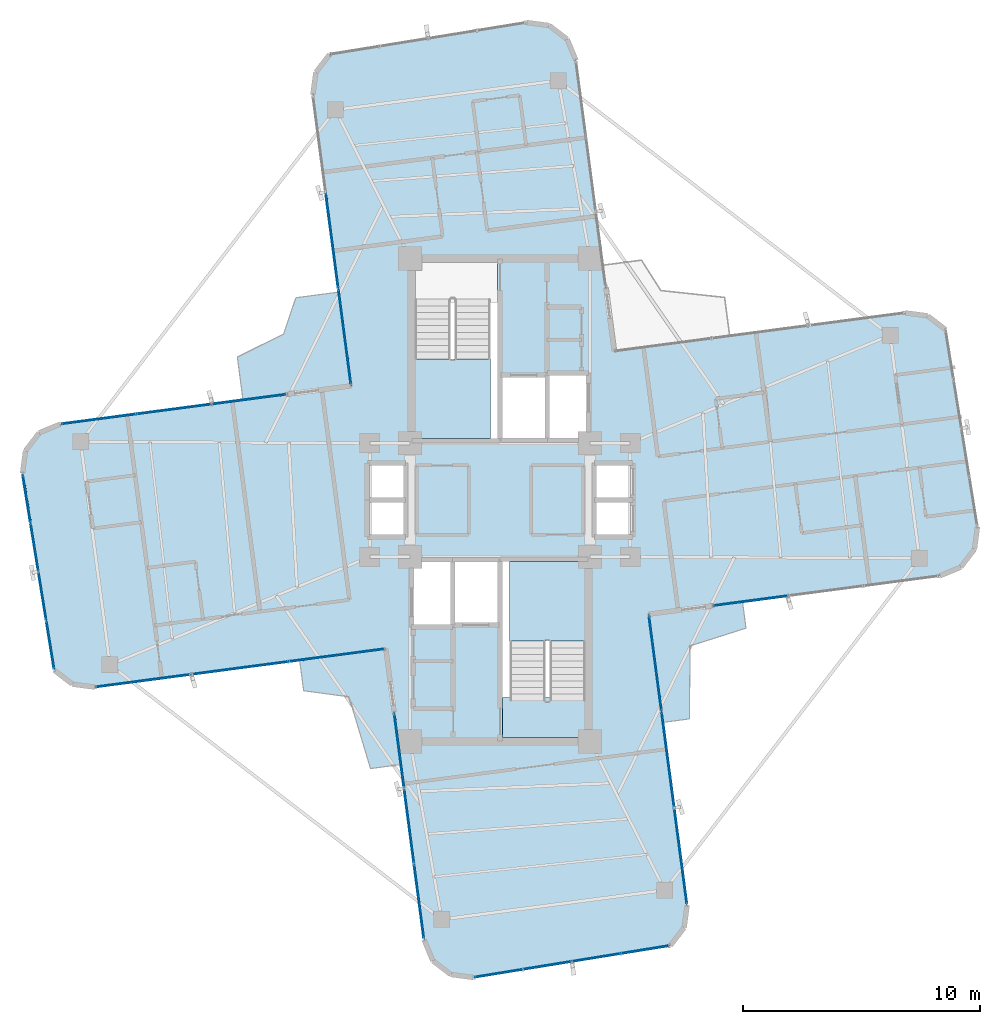
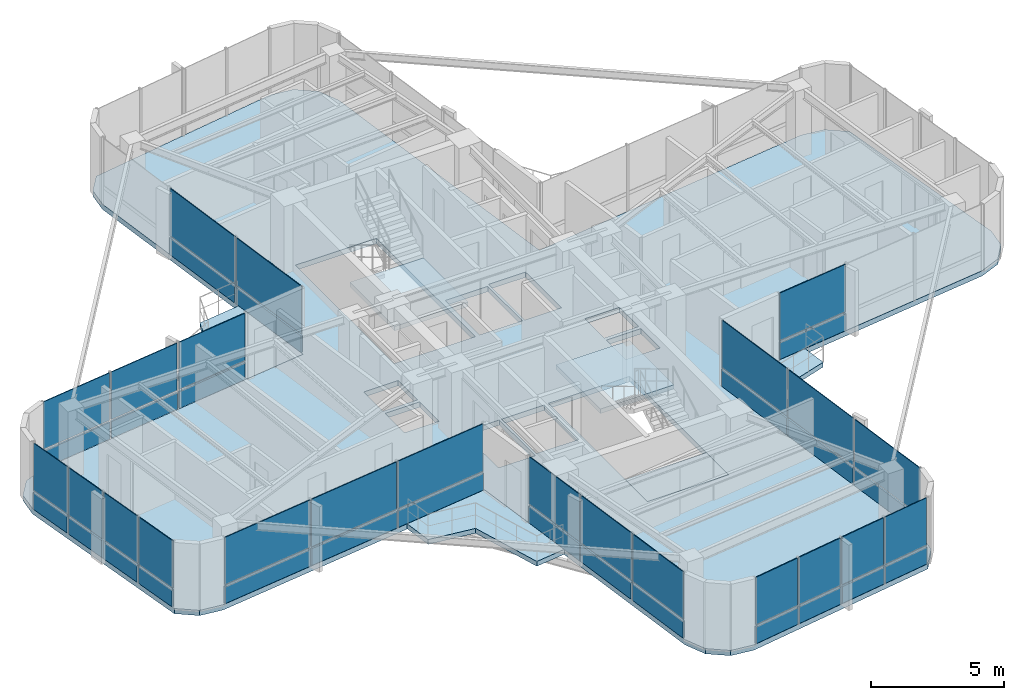
# One storey, part 17 of 22: 46 plates, 7 slabs, 10 elements without a shape of their own.
"""IFC4 building model written with IfcOpenShell, lengths in metres."""

from ifc_helpers import new_model, si_unit, direction, frame, origin, origin_2d, place, context, subcontext, project, spatial, polyline, rectangle, outline, extrude, source, transform, mapped, material, layer, layer_set, type_object, element, aggregate, save


model = new_model("IFC4")

# Units and contexts
model_context = context("Model", 3, precision=1e-05, world=origin(), true_north=direction((0.0, 1.0)))
body_context = subcontext(model_context, "Body", "Model", "MODEL_VIEW")
ifc_project = project(units=[si_unit("LENGTHUNIT", "METRE"), si_unit("AREAUNIT", "SQUARE_METRE"), si_unit("VOLUMEUNIT", "CUBIC_METRE"), si_unit("PLANEANGLEUNIT", "RADIAN"), si_unit("MASSUNIT", "GRAM", prefix="KILO")], contexts=[model_context])

# Site, building, storey
site_placement = place(None, origin())
site = spatial("IfcSite", under=ifc_project, at=site_placement, CompositionType="ELEMENT")
building_placement = place(site_placement, origin())
building = spatial("IfcBuilding", under=site, at=building_placement, Name="Sahyath Konkavel Grand Hotel", CompositionType="ELEMENT")
storey_placement = place(building_placement, frame((0.0, 0.0, 272.449951171875)))
storey = spatial("IfcBuildingStorey", under=building, at=storey_placement, Name="L76", CompositionType="ELEMENT", Elevation=272.449951171875)

# Slabs
ifc_material_1 = material(Name="Concrete C40/50", Category="concrete")
ifc_layer_1 = layer(ifc_material_1, 0.239990234375)
ifc_layer_set_1 = layer_set([ifc_layer_1], Name="Concrete C40/50")
slab_type_1 = type_object("IfcSlabType", Name="SLB-240", PredefinedType="FLOOR", material=ifc_layer_set_1)
slab_1_placement = place(storey_placement, frame((0.0, 0.0, -0.239990234375)))
element("IfcSlab", 1, at=slab_1_placement, inside=storey, type_object=slab_type_1, Name="L76 Structural Floor Slab", PredefinedType="FLOOR", context=body_context, shape_type="SweptSolid", body=[
    extrude(outline(polyline([(6.282958984375, -4.821044921875), (18.56689453125, -3.203857421875), (19.451904296875, -2.83740234375), (20.03466796875, -2.07763671875), (20.15966796875, -1.12841796875), (18.814208984375, 7.1923828125), (18.0546875, 7.775390625), (17.10498046875, 7.900390625), (4.821044921875, 6.282958984375), (3.203857421875, 18.56689453125), (2.83740234375, 19.451904296875), (2.07763671875, 20.03466796875), (1.12841796875, 20.15966796875), (-7.1923828125, 18.814208984375), (-7.775390625, 18.0546875), (-7.900390625, 17.10498046875), (-6.282958984375, 4.821044921875), (-18.56689453125, 3.203857421875), (-19.451904296875, 2.83740234375), (-20.03466796875, 2.07763671875), (-20.15966796875, 1.12841796875), (-18.814208984375, -7.1923828125), (-18.0546875, -7.775390625), (-17.10498046875, -7.900390625), (-4.821044921875, -6.282958984375), (-3.203857421875, -18.56689453125), (-2.83740234375, -19.451904296875), (-2.07763671875, -20.03466796875), (-1.12841796875, -20.15966796875), (7.1923828125, -18.814208984375), (7.775390625, -18.0546875), (7.900390625, -17.10498046875), (6.282958984375, -4.821044921875)]), holes=[polyline([(-3.6201171875, 2.580078125), (-0.10009765625, 2.580078125), (-0.10009765625, 10.02001953125), (-3.6201171875, 10.02001953125), (-3.6201171875, 2.580078125)]), polyline([(0.10009765625, -10.02001953125), (3.6201171875, -10.02001953125), (3.6201171875, -2.580078125), (0.10009765625, -2.580078125), (0.10009765625, -10.02001953125)]), polyline([(0.10009765625, 2.60009765625), (1.949951171875, 2.60009765625), (1.949951171875, 5.199951171875), (0.10009765625, 5.199951171875), (0.10009765625, 2.60009765625)]), polyline([(-1.949951171875, -5.199951171875), (-0.10009765625, -5.199951171875), (-0.10009765625, -2.60009765625), (-1.949951171875, -2.60009765625), (-1.949951171875, -5.199951171875)]), polyline([(2.050048828125, 2.60009765625), (3.64990234375, 2.60009765625), (3.64990234375, 5.300048828125), (2.050048828125, 5.300048828125), (2.050048828125, 2.60009765625)]), polyline([(-3.64990234375, -5.300048828125), (-2.050048828125, -5.300048828125), (-2.050048828125, -2.60009765625), (-3.64990234375, -2.60009765625), (-3.64990234375, -5.300048828125)]), polyline([(4.050048828125, 0.080078125), (5.550048828125, 0.080078125), (5.550048828125, 1.5400390625), (4.050048828125, 1.5400390625), (4.050048828125, 0.080078125)]), polyline([(4.050048828125, -1.5400390625), (5.550048828125, -1.5400390625), (5.550048828125, -0.080078125), (4.050048828125, -0.080078125), (4.050048828125, -1.5400390625)]), polyline([(-5.550048828125, 0.080078125), (-4.050048828125, 0.080078125), (-4.050048828125, 1.5400390625), (-5.550048828125, 1.5400390625), (-5.550048828125, 0.080078125)]), polyline([(-5.550048828125, -1.5400390625), (-4.050048828125, -1.5400390625), (-4.050048828125, -0.080078125), (-5.550048828125, -0.080078125), (-5.550048828125, -1.5400390625)])]), origin(), (0.0, 0.0, 1.0), 0.239990234375),
])
ifc_layer_2 = layer(ifc_material_1, 0.219970703125)
ifc_layer_set_2 = layer_set([ifc_layer_2], Name="Concrete C40/50")
slab_type_2 = type_object("IfcSlabType", Name="SLB-BALCONY-220", PredefinedType="FLOOR", material=ifc_layer_set_2)
slab_2_placement = place(storey_placement, frame((0.0, 0.0, -0.219970703125)))
element("IfcSlab", 2, at=slab_2_placement, inside=storey, type_object=slab_type_2, Name="L76 Winter-Garden Balcony NW", PredefinedType="FLOOR", context=body_context, shape_type="SweptSolid", body=[
    extrude(outline(polyline([(-6.282958984375, 4.821044921875), (-6.80419921875, 8.779052734375), (-8.6201171875, 8.539794921875), (-9.13720703125, 7.01123046875), (-11.0908203125, 6.03564453125), (-10.8515625, 4.2197265625), (-6.282958984375, 4.821044921875)])), origin(), (0.0, 0.0, 1.0), 0.219970703125),
])
slab_3_placement = place(storey_placement, frame((0.0, 0.0, -0.219970703125)))
element("IfcSlab", 3, at=slab_3_placement, inside=storey, type_object=slab_type_2, Name="L76 Winter-Garden Balcony SW", PredefinedType="FLOOR", context=body_context, shape_type="SweptSolid", body=[
    extrude(outline(polyline([(-4.821044921875, -6.282958984375), (-8.460693359375, -6.76220703125), (-8.290771484375, -8.052734375), (-6.377685546875, -8.3115234375), (-5.468505859375, -11.33984375), (-4.177734375, -11.169921875), (-4.821044921875, -6.282958984375)])), origin(), (0.0, 0.0, 1.0), 0.219970703125),
])
slab_4_placement = place(storey_placement, frame((0.0, 0.0, -0.219970703125)))
element("IfcSlab", 4, at=slab_4_placement, inside=storey, type_object=slab_type_2, Name="L76 Winter-Garden Balcony SE", PredefinedType="FLOOR", context=body_context, shape_type="SweptSolid", body=[
    extrude(outline(polyline([(6.282958984375, -4.821044921875), (6.884521484375, -9.3896484375), (7.9951171875, -9.243408203125), (8.02880859375, -6.16064453125), (10.38720703125, -5.410888671875), (10.240966796875, -4.300048828125), (6.282958984375, -4.821044921875)])), origin(), (0.0, 0.0, 1.0), 0.219970703125),
])

# Stair, slab
stair_type = type_object("IfcStairType", Name="STR-ST16-335", PredefinedType="HALF_TURN_STAIR", material=ifc_material_1)
stair_1_placement = place(storey_placement, origin())
stair_1 = element("IfcStair", 5, at=stair_1_placement, inside=storey, type_object=stair_type, Name="L76 North Core Smokeproof Exit Stair ST-1", PredefinedType="HALF_TURN_STAIR")
ifc_layer_3 = layer(ifc_material_1, 0.199951171875)
ifc_layer_set_3 = layer_set([ifc_layer_3], Name="Concrete C40/50")
slab_type_3 = type_object("IfcSlabType", Name="SLB-STAIR-LND", PredefinedType="LANDING", material=ifc_layer_set_3)
slab_5_placement = place(storey_placement, frame((0.0, 0.0, 1.47509765625)))
slab_5 = element("IfcSlab", 6, at=slab_5_placement, type_object=slab_type_3, Name="ST-1 landing 1", PredefinedType="LANDING", context=body_context, shape_type="SweptSolid", body=[
    extrude(outline(polyline([(-3.60009765625, 5.9599609375), (-3.60009765625, 2.60009765625), (-0.39990234375, 2.60009765625), (-0.39990234375, 5.9599609375), (-3.60009765625, 5.9599609375)])), origin(), (0.0, 0.0, 1.0), 0.199951171875),
])
aggregate(stair_1, [slab_5])

stair_2_placement = place(storey_placement, origin())
stair_2 = element("IfcStair", 7, at=stair_2_placement, inside=storey, type_object=stair_type, Name="L76 South Core Smokeproof Exit Stair ST-2", PredefinedType="HALF_TURN_STAIR")
slab_6_placement = place(storey_placement, frame((0.0, 0.0, 1.47509765625)))
slab_6 = element("IfcSlab", 8, at=slab_6_placement, type_object=slab_type_3, Name="ST-2 landing 1", PredefinedType="LANDING", context=body_context, shape_type="SweptSolid", body=[
    extrude(outline(polyline([(3.60009765625, -5.9599609375), (3.60009765625, -2.60009765625), (0.39990234375, -2.60009765625), (0.39990234375, -5.9599609375), (3.60009765625, -5.9599609375)])), origin(), (0.0, 0.0, 1.0), 0.199951171875),
])
aggregate(stair_2, [slab_6])

# Slab
slab_7_placement = place(storey_placement, frame((0.0, 0.0, -0.199951171875)))
element("IfcSlab", 9, at=slab_7_placement, inside=storey, type_object=slab_type_3, Name="L76 Stair ST-2 Floor Landing Slab", PredefinedType="LANDING", context=body_context, shape_type="SweptSolid", body=[
    extrude(outline(polyline([(0.10009765625, -10.02001953125), (3.6201171875, -10.02001953125), (3.6201171875, -8.35009765625), (0.10009765625, -8.35009765625), (0.10009765625, -10.02001953125)])), origin(), (0.0, 0.0, 1.0), 0.199951171875),
])

# Curtain wall, plate
ifc_material_2 = material(Name="Anodised Bronze Aluminium & Low-E Glazing", Category="aluminium")
curtain_wall_type = type_object("IfcCurtainWallType", Name="CW-ZONE4", PredefinedType="NOTDEFINED", material=ifc_material_2)
curtain_wall_1_placement = place(storey_placement, origin())
curtain_wall_1 = element("IfcCurtainWall", 10, at=curtain_wall_1_placement, inside=storey, type_object=curtain_wall_type, Name="L76 Unitised Curtain Wall F0", PredefinedType="NOTDEFINED")
ifc_material_3 = material(Name="Warm Buff Sandstone Cladding", Category="masonry")
ifc_layer_4 = layer(ifc_material_3, 0.074951171875)
ifc_layer_set_4 = layer_set([ifc_layer_4], Name="Warm Buff Sandstone Cladding")
plate_type_1 = type_object("IfcPlateType", Name="PNL-SPANDREL-STONE", PredefinedType="SHEET", material=ifc_layer_set_4)
shared_shape_1 = source(origin(), body_context, "Body", "SweptSolid", [
    extrude(rectangle(XDim=3.123291015625, YDim=0.074951171875, at=origin_2d()), origin(), (0.0, 0.0, 1.0), 0.77001953125),
])
plate_1_placement = place(storey_placement, frame((10.587646484375, -4.25439453125, 0.0400390625), z_axis=(0.0, 0.0, 1.0), x_axis=(0.991444861374, 0.13052619222, 0.0)))
plate_1 = element("IfcPlate", 11, at=plate_1_placement, type_object=plate_type_1, Name="L76 Sandstone Relief Spandrel Panel F0-0", PredefinedType="SHEET", context=body_context, shape_type="MappedRepresentation", body=[
    mapped(shared_shape_1, transform((0.0, 0.0, 0.0), scale=1.0)),
])

# Curtain wall, plates
curtain_wall_2_placement = place(storey_placement, origin())
curtain_wall_2 = element("IfcCurtainWall", 12, at=curtain_wall_2_placement, inside=storey, type_object=curtain_wall_type, Name="L76 Unitised Curtain Wall F16", PredefinedType="NOTDEFINED")
plate_2_placement = place(storey_placement, frame((-10.587646484375, 4.25439453125, 0.0400390625), z_axis=(0.0, 0.0, 1.0), x_axis=(-0.991444861374, -0.13052619222, 0.0)))
plate_2 = element("IfcPlate", 13, at=plate_2_placement, type_object=plate_type_1, Name="L76 Sandstone Relief Spandrel Panel F16-0", PredefinedType="SHEET", context=body_context, shape_type="MappedRepresentation", body=[
    mapped(shared_shape_1, transform((0.0, 0.0, 0.0), scale=1.0)),
])
plate_3_placement = place(storey_placement, frame((-13.763427734375, 3.836181640625, 0.0400390625), z_axis=(0.0, 0.0, 1.0), x_axis=(-0.991444861374, -0.13052619222, 0.0)))
plate_3 = element("IfcPlate", 14, at=plate_3_placement, type_object=plate_type_1, Name="L76 Sandstone Relief Spandrel Panel F16-1", PredefinedType="SHEET", context=body_context, shape_type="MappedRepresentation", body=[
    mapped(shared_shape_1, transform((0.0, 0.0, 0.0), scale=1.0)),
])
plate_4_placement = place(storey_placement, frame((-16.939453125, 3.418212890625, 0.0400390625), z_axis=(0.0, 0.0, 1.0), x_axis=(-0.991444861374, -0.13052619222, 0.0)))
plate_4 = element("IfcPlate", 15, at=plate_4_placement, type_object=plate_type_1, Name="L76 Sandstone Relief Spandrel Panel F16-2", PredefinedType="SHEET", context=body_context, shape_type="MappedRepresentation", body=[
    mapped(shared_shape_1, transform((0.0, 0.0, 0.0), scale=1.0)),
])

curtain_wall_3_placement = place(storey_placement, origin())
curtain_wall_3 = element("IfcCurtainWall", 16, at=curtain_wall_3_placement, inside=storey, type_object=curtain_wall_type, Name="L76 Unitised Curtain Wall F24", PredefinedType="NOTDEFINED")
plate_5_placement = place(storey_placement, frame((-4.25439453125, -10.587646484375, 0.0400390625), z_axis=(0.0, 0.0, 1.0), x_axis=(0.13052619222, -0.991444861374, 0.0)))
plate_5 = element("IfcPlate", 17, at=plate_5_placement, type_object=plate_type_1, Name="L76 Sandstone Relief Spandrel Panel F24-0", PredefinedType="SHEET", context=body_context, shape_type="MappedRepresentation", body=[
    mapped(shared_shape_1, transform((0.0, 0.0, 0.0), scale=1.0)),
])
plate_6_placement = place(storey_placement, frame((-3.836181640625, -13.763427734375, 0.0400390625), z_axis=(0.0, 0.0, 1.0), x_axis=(0.13052619222, -0.991444861374, 0.0)))
plate_6 = element("IfcPlate", 18, at=plate_6_placement, type_object=plate_type_1, Name="L76 Sandstone Relief Spandrel Panel F24-1", PredefinedType="SHEET", context=body_context, shape_type="MappedRepresentation", body=[
    mapped(shared_shape_1, transform((0.0, 0.0, 0.0), scale=1.0)),
])
plate_7_placement = place(storey_placement, frame((-3.418212890625, -16.939453125, 0.0400390625), z_axis=(0.0, 0.0, 1.0), x_axis=(0.13052619222, -0.991444861374, 0.0)))
plate_7 = element("IfcPlate", 19, at=plate_7_placement, type_object=plate_type_1, Name="L76 Sandstone Relief Spandrel Panel F24-2", PredefinedType="SHEET", context=body_context, shape_type="MappedRepresentation", body=[
    mapped(shared_shape_1, transform((0.0, 0.0, 0.0), scale=1.0)),
])

# Plate
ifc_material_4 = material(Name="Low-E Solar Control Double Glazing", Category="glass")
ifc_layer_5 = layer(ifc_material_4, 0.035888671875)
ifc_layer_set_5 = layer_set([ifc_layer_5], Name="Low-E Solar Control Double Glazing")
plate_type_2 = type_object("IfcPlateType", Name="PNL-VISION-LOWE", PredefinedType="CURTAIN_PANEL", material=ifc_layer_set_5)
shared_shape_2 = source(origin(), body_context, "Body", "SweptSolid", [
    extrude(rectangle(XDim=3.123291015625, YDim=0.035888671875, at=origin_2d()), origin(), (0.0, 0.0, 1.0), 2.179931640625),
])
plate_8_placement = place(storey_placement, frame((10.587646484375, -4.25439453125, 0.89013671875), z_axis=(0.0, 0.0, 1.0), x_axis=(0.991444861374, 0.13052619222, 0.0)))
plate_8 = element("IfcPlate", 20, at=plate_8_placement, type_object=plate_type_2, Name="L76 Low-E Vision Glazing Panel F0-0", PredefinedType="CURTAIN_PANEL", context=body_context, shape_type="MappedRepresentation", body=[
    mapped(shared_shape_2, transform((0.0, 0.0, 0.0), scale=1.0)),
])

aggregate(curtain_wall_1, [plate_1, plate_8])

plate_9_placement = place(storey_placement, frame((-10.587646484375, 4.25439453125, 0.89013671875), z_axis=(0.0, 0.0, 1.0), x_axis=(-0.991444861374, -0.13052619222, 0.0)))
plate_9 = element("IfcPlate", 21, at=plate_9_placement, type_object=plate_type_2, Name="L76 Low-E Vision Glazing Panel F16-0", PredefinedType="CURTAIN_PANEL", context=body_context, shape_type="MappedRepresentation", body=[
    mapped(shared_shape_2, transform((0.0, 0.0, 0.0), scale=1.0)),
])

plate_10_placement = place(storey_placement, frame((-13.763427734375, 3.836181640625, 0.89013671875), z_axis=(0.0, 0.0, 1.0), x_axis=(-0.991444861374, -0.13052619222, 0.0)))
plate_10 = element("IfcPlate", 22, at=plate_10_placement, type_object=plate_type_2, Name="L76 Low-E Vision Glazing Panel F16-1", PredefinedType="CURTAIN_PANEL", context=body_context, shape_type="MappedRepresentation", body=[
    mapped(shared_shape_2, transform((0.0, 0.0, 0.0), scale=1.0)),
])

plate_11_placement = place(storey_placement, frame((-16.939453125, 3.418212890625, 0.89013671875), z_axis=(0.0, 0.0, 1.0), x_axis=(-0.991444861374, -0.13052619222, 0.0)))
plate_11 = element("IfcPlate", 23, at=plate_11_placement, type_object=plate_type_2, Name="L76 Low-E Vision Glazing Panel F16-2", PredefinedType="CURTAIN_PANEL", context=body_context, shape_type="MappedRepresentation", body=[
    mapped(shared_shape_2, transform((0.0, 0.0, 0.0), scale=1.0)),
])

aggregate(curtain_wall_2, [plate_2, plate_9, plate_3, plate_10, plate_4, plate_11])

plate_12_placement = place(storey_placement, frame((-4.25439453125, -10.587646484375, 0.89013671875), z_axis=(0.0, 0.0, 1.0), x_axis=(0.13052619222, -0.991444861374, 0.0)))
plate_12 = element("IfcPlate", 24, at=plate_12_placement, type_object=plate_type_2, Name="L76 Low-E Vision Glazing Panel F24-0", PredefinedType="CURTAIN_PANEL", context=body_context, shape_type="MappedRepresentation", body=[
    mapped(shared_shape_2, transform((0.0, 0.0, 0.0), scale=1.0)),
])

plate_13_placement = place(storey_placement, frame((-3.836181640625, -13.763427734375, 0.89013671875), z_axis=(0.0, 0.0, 1.0), x_axis=(0.13052619222, -0.991444861374, 0.0)))
plate_13 = element("IfcPlate", 25, at=plate_13_placement, type_object=plate_type_2, Name="L76 Low-E Vision Glazing Panel F24-1", PredefinedType="CURTAIN_PANEL", context=body_context, shape_type="MappedRepresentation", body=[
    mapped(shared_shape_2, transform((0.0, 0.0, 0.0), scale=1.0)),
])

plate_14_placement = place(storey_placement, frame((-3.418212890625, -16.939453125, 0.89013671875), z_axis=(0.0, 0.0, 1.0), x_axis=(0.13052619222, -0.991444861374, 0.0)))
plate_14 = element("IfcPlate", 26, at=plate_14_placement, type_object=plate_type_2, Name="L76 Low-E Vision Glazing Panel F24-2", PredefinedType="CURTAIN_PANEL", context=body_context, shape_type="MappedRepresentation", body=[
    mapped(shared_shape_2, transform((0.0, 0.0, 0.0), scale=1.0)),
])

aggregate(curtain_wall_3, [plate_5, plate_12, plate_6, plate_13, plate_7, plate_14])

# Curtain wall, plates
curtain_wall_4_placement = place(storey_placement, origin())
curtain_wall_4 = element("IfcCurtainWall", 27, at=curtain_wall_4_placement, inside=storey, type_object=curtain_wall_type, Name="L76 Unitised Curtain Wall F20", PredefinedType="NOTDEFINED")
shared_shape_3 = source(origin(), body_context, "Body", "SweptSolid", [
    extrude(rectangle(XDim=2.007080078125, YDim=0.074951171875, at=origin_2d()), origin(), (0.0, 0.0, 1.0), 0.77001953125),
])
plate_15_placement = place(storey_placement, frame((-19.98681640625, 0.05859375, 0.0400390625), z_axis=(0.0, 0.0, 1.0), x_axis=(0.159622750546, -0.987178088041, 0.0)))
plate_15 = element("IfcPlate", 28, at=plate_15_placement, type_object=plate_type_1, Name="L76 Sandstone Relief Spandrel Panel F20-0", PredefinedType="SHEET", context=body_context, shape_type="MappedRepresentation", body=[
    mapped(shared_shape_3, transform((0.0, 0.0, 0.0), scale=1.0)),
])
plate_16_placement = place(storey_placement, frame((-19.653564453125, -2.001708984375, 0.0400390625), z_axis=(0.0, 0.0, 1.0), x_axis=(0.159622750546, -0.987178088041, 0.0)))
plate_16 = element("IfcPlate", 29, at=plate_16_placement, type_object=plate_type_1, Name="L76 Sandstone Relief Spandrel Panel F20-1", PredefinedType="SHEET", context=body_context, shape_type="MappedRepresentation", body=[
    mapped(shared_shape_3, transform((0.0, 0.0, 0.0), scale=1.0)),
])
plate_17_placement = place(storey_placement, frame((-19.3203125, -4.062255859375, 0.0400390625), z_axis=(0.0, 0.0, 1.0), x_axis=(0.159622750546, -0.987178088041, 0.0)))
plate_17 = element("IfcPlate", 30, at=plate_17_placement, type_object=plate_type_1, Name="L76 Sandstone Relief Spandrel Panel F20-2", PredefinedType="SHEET", context=body_context, shape_type="MappedRepresentation", body=[
    mapped(shared_shape_3, transform((0.0, 0.0, 0.0), scale=1.0)),
])
plate_18_placement = place(storey_placement, frame((-18.9873046875, -6.12255859375, 0.0400390625), z_axis=(0.0, 0.0, 1.0), x_axis=(0.159622750546, -0.987178088041, 0.0)))
plate_18 = element("IfcPlate", 31, at=plate_18_placement, type_object=plate_type_1, Name="L76 Sandstone Relief Spandrel Panel F20-3", PredefinedType="SHEET", context=body_context, shape_type="MappedRepresentation", body=[
    mapped(shared_shape_3, transform((0.0, 0.0, 0.0), scale=1.0)),
])

curtain_wall_5_placement = place(storey_placement, origin())
curtain_wall_5 = element("IfcCurtainWall", 32, at=curtain_wall_5_placement, inside=storey, type_object=curtain_wall_type, Name="L76 Unitised Curtain Wall F28", PredefinedType="NOTDEFINED")
plate_19_placement = place(storey_placement, frame((-0.05859375, -19.98681640625, 0.0400390625), z_axis=(0.0, 0.0, 1.0), x_axis=(0.987178088041, 0.159622750546, 0.0)))
plate_19 = element("IfcPlate", 33, at=plate_19_placement, type_object=plate_type_1, Name="L76 Sandstone Relief Spandrel Panel F28-0", PredefinedType="SHEET", context=body_context, shape_type="MappedRepresentation", body=[
    mapped(shared_shape_3, transform((0.0, 0.0, 0.0), scale=1.0)),
])
plate_20_placement = place(storey_placement, frame((2.001708984375, -19.653564453125, 0.0400390625), z_axis=(0.0, 0.0, 1.0), x_axis=(0.987178088041, 0.159622750546, 0.0)))
plate_20 = element("IfcPlate", 34, at=plate_20_placement, type_object=plate_type_1, Name="L76 Sandstone Relief Spandrel Panel F28-1", PredefinedType="SHEET", context=body_context, shape_type="MappedRepresentation", body=[
    mapped(shared_shape_3, transform((0.0, 0.0, 0.0), scale=1.0)),
])
plate_21_placement = place(storey_placement, frame((4.062255859375, -19.3203125, 0.0400390625), z_axis=(0.0, 0.0, 1.0), x_axis=(0.987178088041, 0.159622750546, 0.0)))
plate_21 = element("IfcPlate", 35, at=plate_21_placement, type_object=plate_type_1, Name="L76 Sandstone Relief Spandrel Panel F28-2", PredefinedType="SHEET", context=body_context, shape_type="MappedRepresentation", body=[
    mapped(shared_shape_3, transform((0.0, 0.0, 0.0), scale=1.0)),
])
plate_22_placement = place(storey_placement, frame((6.12255859375, -18.9873046875, 0.0400390625), z_axis=(0.0, 0.0, 1.0), x_axis=(0.987178088041, 0.159622750546, 0.0)))
plate_22 = element("IfcPlate", 36, at=plate_22_placement, type_object=plate_type_1, Name="L76 Sandstone Relief Spandrel Panel F28-3", PredefinedType="SHEET", context=body_context, shape_type="MappedRepresentation", body=[
    mapped(shared_shape_3, transform((0.0, 0.0, 0.0), scale=1.0)),
])

# Plate
shared_shape_4 = source(origin(), body_context, "Body", "SweptSolid", [
    extrude(rectangle(XDim=2.007080078125, YDim=0.035888671875, at=origin_2d()), origin(), (0.0, 0.0, 1.0), 2.179931640625),
])
plate_23_placement = place(storey_placement, frame((-19.98681640625, 0.05859375, 0.89013671875), z_axis=(0.0, 0.0, 1.0), x_axis=(0.159622750546, -0.987178088041, 0.0)))
plate_23 = element("IfcPlate", 37, at=plate_23_placement, type_object=plate_type_2, Name="L76 Low-E Vision Glazing Panel F20-0", PredefinedType="CURTAIN_PANEL", context=body_context, shape_type="MappedRepresentation", body=[
    mapped(shared_shape_4, transform((0.0, 0.0, 0.0), scale=1.0)),
])

plate_24_placement = place(storey_placement, frame((-19.653564453125, -2.001708984375, 0.89013671875), z_axis=(0.0, 0.0, 1.0), x_axis=(0.159622750546, -0.987178088041, 0.0)))
plate_24 = element("IfcPlate", 38, at=plate_24_placement, type_object=plate_type_2, Name="L76 Low-E Vision Glazing Panel F20-1", PredefinedType="CURTAIN_PANEL", context=body_context, shape_type="MappedRepresentation", body=[
    mapped(shared_shape_4, transform((0.0, 0.0, 0.0), scale=1.0)),
])

plate_25_placement = place(storey_placement, frame((-19.3203125, -4.062255859375, 0.89013671875), z_axis=(0.0, 0.0, 1.0), x_axis=(0.159622750546, -0.987178088041, 0.0)))
plate_25 = element("IfcPlate", 39, at=plate_25_placement, type_object=plate_type_2, Name="L76 Low-E Vision Glazing Panel F20-2", PredefinedType="CURTAIN_PANEL", context=body_context, shape_type="MappedRepresentation", body=[
    mapped(shared_shape_4, transform((0.0, 0.0, 0.0), scale=1.0)),
])

plate_26_placement = place(storey_placement, frame((-18.9873046875, -6.12255859375, 0.89013671875), z_axis=(0.0, 0.0, 1.0), x_axis=(0.159622750546, -0.987178088041, 0.0)))
plate_26 = element("IfcPlate", 40, at=plate_26_placement, type_object=plate_type_2, Name="L76 Low-E Vision Glazing Panel F20-3", PredefinedType="CURTAIN_PANEL", context=body_context, shape_type="MappedRepresentation", body=[
    mapped(shared_shape_4, transform((0.0, 0.0, 0.0), scale=1.0)),
])

aggregate(curtain_wall_4, [plate_15, plate_23, plate_16, plate_24, plate_17, plate_25, plate_18, plate_26])

plate_27_placement = place(storey_placement, frame((-0.05859375, -19.98681640625, 0.89013671875), z_axis=(0.0, 0.0, 1.0), x_axis=(0.987178088041, 0.159622750546, 0.0)))
plate_27 = element("IfcPlate", 41, at=plate_27_placement, type_object=plate_type_2, Name="L76 Low-E Vision Glazing Panel F28-0", PredefinedType="CURTAIN_PANEL", context=body_context, shape_type="MappedRepresentation", body=[
    mapped(shared_shape_4, transform((0.0, 0.0, 0.0), scale=1.0)),
])

plate_28_placement = place(storey_placement, frame((2.001708984375, -19.653564453125, 0.89013671875), z_axis=(0.0, 0.0, 1.0), x_axis=(0.987178088041, 0.159622750546, 0.0)))
plate_28 = element("IfcPlate", 42, at=plate_28_placement, type_object=plate_type_2, Name="L76 Low-E Vision Glazing Panel F28-1", PredefinedType="CURTAIN_PANEL", context=body_context, shape_type="MappedRepresentation", body=[
    mapped(shared_shape_4, transform((0.0, 0.0, 0.0), scale=1.0)),
])

plate_29_placement = place(storey_placement, frame((4.062255859375, -19.3203125, 0.89013671875), z_axis=(0.0, 0.0, 1.0), x_axis=(0.987178088041, 0.159622750546, 0.0)))
plate_29 = element("IfcPlate", 43, at=plate_29_placement, type_object=plate_type_2, Name="L76 Low-E Vision Glazing Panel F28-2", PredefinedType="CURTAIN_PANEL", context=body_context, shape_type="MappedRepresentation", body=[
    mapped(shared_shape_4, transform((0.0, 0.0, 0.0), scale=1.0)),
])

plate_30_placement = place(storey_placement, frame((6.12255859375, -18.9873046875, 0.89013671875), z_axis=(0.0, 0.0, 1.0), x_axis=(0.987178088041, 0.159622750546, 0.0)))
plate_30 = element("IfcPlate", 44, at=plate_30_placement, type_object=plate_type_2, Name="L76 Low-E Vision Glazing Panel F28-3", PredefinedType="CURTAIN_PANEL", context=body_context, shape_type="MappedRepresentation", body=[
    mapped(shared_shape_4, transform((0.0, 0.0, 0.0), scale=1.0)),
])

aggregate(curtain_wall_5, [plate_19, plate_27, plate_20, plate_28, plate_21, plate_29, plate_22, plate_30])

# Curtain wall, plates
curtain_wall_6_placement = place(storey_placement, origin())
curtain_wall_6 = element("IfcCurtainWall", 45, at=curtain_wall_6_placement, inside=storey, type_object=curtain_wall_type, Name="L76 Unitised Curtain Wall F15", PredefinedType="NOTDEFINED")
shared_shape_5 = source(origin(), body_context, "Body", "SweptSolid", [
    extrude(rectangle(XDim=4.023193359375, YDim=0.074951171875, at=origin_2d()), origin(), (0.0, 0.0, 1.0), 0.77001953125),
])
plate_31_placement = place(storey_placement, frame((-7.091552734375, 10.963134765625, 0.0400390625), z_axis=(0.0, 0.0, 1.0), x_axis=(0.13052619222, -0.991444861374, 0.0)))
plate_31 = element("IfcPlate", 46, at=plate_31_placement, type_object=plate_type_1, Name="L76 Sandstone Relief Spandrel Panel F15-1", PredefinedType="SHEET", context=body_context, shape_type="MappedRepresentation", body=[
    mapped(shared_shape_5, transform((0.0, 0.0, 0.0), scale=1.0)),
])
plate_32_placement = place(storey_placement, frame((-6.555908203125, 6.89501953125, 0.0400390625), z_axis=(0.0, 0.0, 1.0), x_axis=(0.13052619222, -0.991444861374, 0.0)))
plate_32 = element("IfcPlate", 47, at=plate_32_placement, type_object=plate_type_1, Name="L76 Sandstone Relief Spandrel Panel F15-2", PredefinedType="SHEET", context=body_context, shape_type="MappedRepresentation", body=[
    mapped(shared_shape_5, transform((0.0, 0.0, 0.0), scale=1.0)),
])

curtain_wall_7_placement = place(storey_placement, origin())
curtain_wall_7 = element("IfcCurtainWall", 48, at=curtain_wall_7_placement, inside=storey, type_object=curtain_wall_type, Name="L76 Unitised Curtain Wall F23", PredefinedType="NOTDEFINED")
plate_33_placement = place(storey_placement, frame((-15.03125, -7.627197265625, 0.0400390625), z_axis=(0.0, 0.0, 1.0), x_axis=(0.991444861374, 0.13052619222, 0.0)))
plate_33 = element("IfcPlate", 49, at=plate_33_placement, type_object=plate_type_1, Name="L76 Sandstone Relief Spandrel Panel F23-0", PredefinedType="SHEET", context=body_context, shape_type="MappedRepresentation", body=[
    mapped(shared_shape_5, transform((0.0, 0.0, 0.0), scale=1.0)),
])
plate_34_placement = place(storey_placement, frame((-10.963134765625, -7.091552734375, 0.0400390625), z_axis=(0.0, 0.0, 1.0), x_axis=(0.991444861374, 0.13052619222, 0.0)))
plate_34 = element("IfcPlate", 50, at=plate_34_placement, type_object=plate_type_1, Name="L76 Sandstone Relief Spandrel Panel F23-1", PredefinedType="SHEET", context=body_context, shape_type="MappedRepresentation", body=[
    mapped(shared_shape_5, transform((0.0, 0.0, 0.0), scale=1.0)),
])
plate_35_placement = place(storey_placement, frame((-6.89501953125, -6.555908203125, 0.0400390625), z_axis=(0.0, 0.0, 1.0), x_axis=(0.991444861374, 0.13052619222, 0.0)))
plate_35 = element("IfcPlate", 51, at=plate_35_placement, type_object=plate_type_1, Name="L76 Sandstone Relief Spandrel Panel F23-2", PredefinedType="SHEET", context=body_context, shape_type="MappedRepresentation", body=[
    mapped(shared_shape_5, transform((0.0, 0.0, 0.0), scale=1.0)),
])

curtain_wall_8_placement = place(storey_placement, origin())
curtain_wall_8 = element("IfcCurtainWall", 52, at=curtain_wall_8_placement, inside=storey, type_object=curtain_wall_type, Name="L76 Unitised Curtain Wall F31", PredefinedType="NOTDEFINED")
plate_36_placement = place(storey_placement, frame((7.627197265625, -15.03125, 0.0400390625), z_axis=(0.0, 0.0, 1.0), x_axis=(-0.13052619222, 0.991444861374, 0.0)))
plate_36 = element("IfcPlate", 53, at=plate_36_placement, type_object=plate_type_1, Name="L76 Sandstone Relief Spandrel Panel F31-0", PredefinedType="SHEET", context=body_context, shape_type="MappedRepresentation", body=[
    mapped(shared_shape_5, transform((0.0, 0.0, 0.0), scale=1.0)),
])
plate_37_placement = place(storey_placement, frame((7.091552734375, -10.963134765625, 0.0400390625), z_axis=(0.0, 0.0, 1.0), x_axis=(-0.13052619222, 0.991444861374, 0.0)))
plate_37 = element("IfcPlate", 54, at=plate_37_placement, type_object=plate_type_1, Name="L76 Sandstone Relief Spandrel Panel F31-1", PredefinedType="SHEET", context=body_context, shape_type="MappedRepresentation", body=[
    mapped(shared_shape_5, transform((0.0, 0.0, 0.0), scale=1.0)),
])
plate_38_placement = place(storey_placement, frame((6.555908203125, -6.89501953125, 0.0400390625), z_axis=(0.0, 0.0, 1.0), x_axis=(-0.13052619222, 0.991444861374, 0.0)))
plate_38 = element("IfcPlate", 55, at=plate_38_placement, type_object=plate_type_1, Name="L76 Sandstone Relief Spandrel Panel F31-2", PredefinedType="SHEET", context=body_context, shape_type="MappedRepresentation", body=[
    mapped(shared_shape_5, transform((0.0, 0.0, 0.0), scale=1.0)),
])

# Plate
shared_shape_6 = source(origin(), body_context, "Body", "SweptSolid", [
    extrude(rectangle(XDim=4.023193359375, YDim=0.035888671875, at=origin_2d()), origin(), (0.0, 0.0, 1.0), 2.179931640625),
])
plate_39_placement = place(storey_placement, frame((-7.091552734375, 10.963134765625, 0.89013671875), z_axis=(0.0, 0.0, 1.0), x_axis=(0.13052619222, -0.991444861374, 0.0)))
plate_39 = element("IfcPlate", 56, at=plate_39_placement, type_object=plate_type_2, Name="L76 Low-E Vision Glazing Panel F15-1", PredefinedType="CURTAIN_PANEL", context=body_context, shape_type="MappedRepresentation", body=[
    mapped(shared_shape_6, transform((0.0, 0.0, 0.0), scale=1.0)),
])

plate_40_placement = place(storey_placement, frame((-6.555908203125, 6.89501953125, 0.89013671875), z_axis=(0.0, 0.0, 1.0), x_axis=(0.13052619222, -0.991444861374, 0.0)))
plate_40 = element("IfcPlate", 57, at=plate_40_placement, type_object=plate_type_2, Name="L76 Low-E Vision Glazing Panel F15-2", PredefinedType="CURTAIN_PANEL", context=body_context, shape_type="MappedRepresentation", body=[
    mapped(shared_shape_6, transform((0.0, 0.0, 0.0), scale=1.0)),
])

aggregate(curtain_wall_6, [plate_31, plate_39, plate_32, plate_40])

plate_41_placement = place(storey_placement, frame((-15.03125, -7.627197265625, 0.89013671875), z_axis=(0.0, 0.0, 1.0), x_axis=(0.991444861374, 0.13052619222, 0.0)))
plate_41 = element("IfcPlate", 58, at=plate_41_placement, type_object=plate_type_2, Name="L76 Low-E Vision Glazing Panel F23-0", PredefinedType="CURTAIN_PANEL", context=body_context, shape_type="MappedRepresentation", body=[
    mapped(shared_shape_6, transform((0.0, 0.0, 0.0), scale=1.0)),
])

plate_42_placement = place(storey_placement, frame((-10.963134765625, -7.091552734375, 0.89013671875), z_axis=(0.0, 0.0, 1.0), x_axis=(0.991444861374, 0.13052619222, 0.0)))
plate_42 = element("IfcPlate", 59, at=plate_42_placement, type_object=plate_type_2, Name="L76 Low-E Vision Glazing Panel F23-1", PredefinedType="CURTAIN_PANEL", context=body_context, shape_type="MappedRepresentation", body=[
    mapped(shared_shape_6, transform((0.0, 0.0, 0.0), scale=1.0)),
])

plate_43_placement = place(storey_placement, frame((-6.89501953125, -6.555908203125, 0.89013671875), z_axis=(0.0, 0.0, 1.0), x_axis=(0.991444861374, 0.13052619222, 0.0)))
plate_43 = element("IfcPlate", 60, at=plate_43_placement, type_object=plate_type_2, Name="L76 Low-E Vision Glazing Panel F23-2", PredefinedType="CURTAIN_PANEL", context=body_context, shape_type="MappedRepresentation", body=[
    mapped(shared_shape_6, transform((0.0, 0.0, 0.0), scale=1.0)),
])

aggregate(curtain_wall_7, [plate_33, plate_41, plate_34, plate_42, plate_35, plate_43])

plate_44_placement = place(storey_placement, frame((7.627197265625, -15.03125, 0.89013671875), z_axis=(0.0, 0.0, 1.0), x_axis=(-0.13052619222, 0.991444861374, 0.0)))
plate_44 = element("IfcPlate", 61, at=plate_44_placement, type_object=plate_type_2, Name="L76 Low-E Vision Glazing Panel F31-0", PredefinedType="CURTAIN_PANEL", context=body_context, shape_type="MappedRepresentation", body=[
    mapped(shared_shape_6, transform((0.0, 0.0, 0.0), scale=1.0)),
])

plate_45_placement = place(storey_placement, frame((7.091552734375, -10.963134765625, 0.89013671875), z_axis=(0.0, 0.0, 1.0), x_axis=(-0.13052619222, 0.991444861374, 0.0)))
plate_45 = element("IfcPlate", 62, at=plate_45_placement, type_object=plate_type_2, Name="L76 Low-E Vision Glazing Panel F31-1", PredefinedType="CURTAIN_PANEL", context=body_context, shape_type="MappedRepresentation", body=[
    mapped(shared_shape_6, transform((0.0, 0.0, 0.0), scale=1.0)),
])

plate_46_placement = place(storey_placement, frame((6.555908203125, -6.89501953125, 0.89013671875), z_axis=(0.0, 0.0, 1.0), x_axis=(-0.13052619222, 0.991444861374, 0.0)))
plate_46 = element("IfcPlate", 63, at=plate_46_placement, type_object=plate_type_2, Name="L76 Low-E Vision Glazing Panel F31-2", PredefinedType="CURTAIN_PANEL", context=body_context, shape_type="MappedRepresentation", body=[
    mapped(shared_shape_6, transform((0.0, 0.0, 0.0), scale=1.0)),
])

aggregate(curtain_wall_8, [plate_36, plate_44, plate_37, plate_45, plate_38, plate_46])

save(model, "model.ifc")
